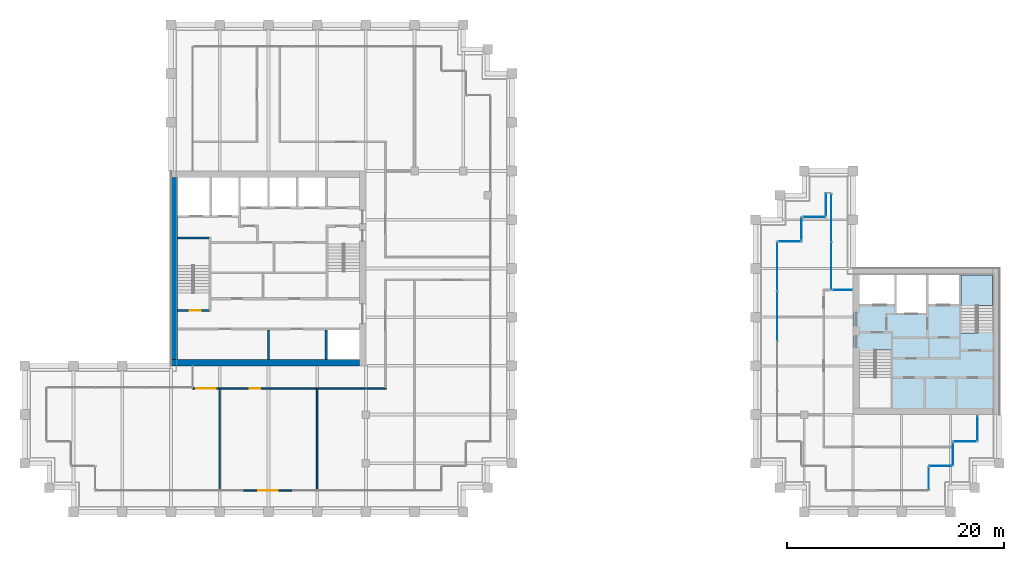
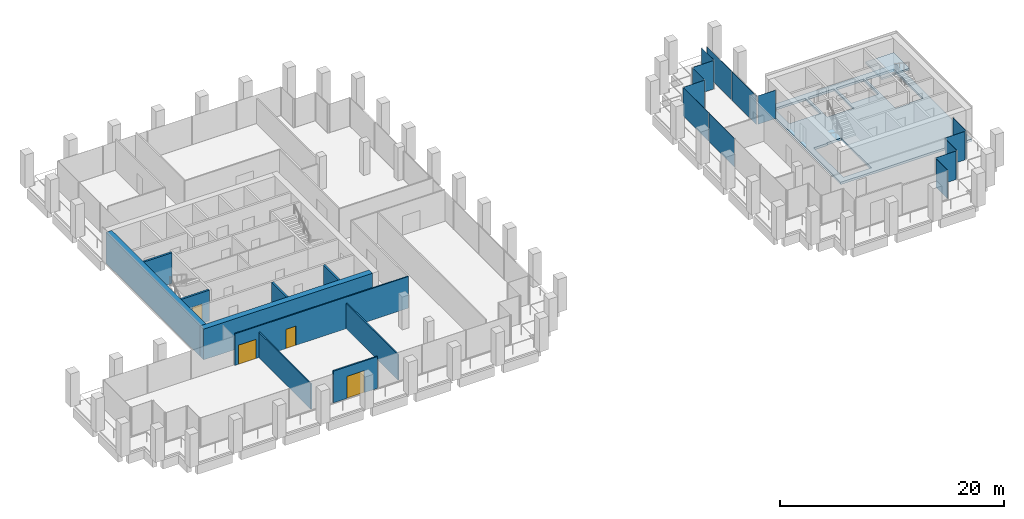
# One storey, part 35 of 40: 14 plates, 10 walls, 4 doors, 2 slabs, 4 openings, 13 elements without a shape of their own.
"""IFC4 building model written with IfcOpenShell, lengths in metres."""

from ifc_helpers import new_model, si_unit, direction, frame, frame_2d, origin, origin_2d, place, context, subcontext, project, spatial, polyline, rectangle, outline, extrude, material, layer, layer_set, type_object, element, fill, aggregate, save


model = new_model("IFC4")

# Units and contexts
model_context = context("Model", 3, precision=1e-05, world=origin(), true_north=direction((0.0, 1.0)))
body_context = subcontext(model_context, "Body", "Model", "MODEL_VIEW")
ifc_project = project(units=[si_unit("LENGTHUNIT", "METRE"), si_unit("AREAUNIT", "SQUARE_METRE"), si_unit("VOLUMEUNIT", "CUBIC_METRE"), si_unit("PLANEANGLEUNIT", "RADIAN"), si_unit("MASSUNIT", "GRAM", prefix="KILO")], contexts=[model_context])

# Site, building, storey
site_placement = place(None, origin())
site = spatial("IfcSite", under=ifc_project, at=site_placement, CompositionType="ELEMENT")
building_placement = place(site_placement, origin())
building = spatial("IfcBuilding", under=site, at=building_placement, Name="Altepetl Exchange Towers", CompositionType="ELEMENT")
storey_placement = place(building_placement, frame((0.0, 0.0, 158.199951171875)))
storey = spatial("IfcBuildingStorey", under=building, at=storey_placement, Name="L39", CompositionType="ELEMENT", Elevation=158.199951171875)

# Slab
ifc_material_1 = material(Name="Concrete C40/50", Category="concrete")
ifc_layer_1 = layer(ifc_material_1, 0.25)
ifc_layer_set_1 = layer_set([ifc_layer_1], Name="Concrete C40/50")
slab_type_1 = type_object("IfcSlabType", Name="Core floor slab 250", PredefinedType="FLOOR", material=ifc_layer_set_1)
slab_1_placement = place(storey_placement, frame((0.0, 0.0, -0.25)))
element("IfcSlab", 1, at=slab_1_placement, inside=storey, type_object=slab_type_1, Name="slab:B:L39:core0", PredefinedType="FLOOR", context=body_context, shape_type="SweptSolid", body=[
    extrude(outline(polyline([(103.5, 36.0), (117.0, 36.0), (117.0, 49.5), (103.5, 49.5), (103.5, 36.0)]), holes=[polyline([(107.0, 36.60009765625), (104.10009765625, 36.60009765625), (104.10009765625, 41.85009765625), (105.5, 41.85009765625), (105.5, 41.948974609375), (107.0, 41.948974609375), (107.0, 36.60009765625)]), polyline([(113.5, 48.89990234375), (116.39990234375, 48.89990234375), (116.39990234375, 43.64990234375), (115.0, 43.64990234375), (115.0, 43.551025390625), (113.5, 43.551025390625), (113.5, 48.89990234375)]), polyline([(107.532958984375, 45.39990234375), (107.532958984375, 48.89990234375), (110.26708984375, 48.89990234375), (110.26708984375, 45.39990234375), (107.532958984375, 45.39990234375)]), polyline([(104.10009765625, 48.89990234375), (107.3330078125, 48.89990234375), (107.3330078125, 46.199951171875), (104.10009765625, 46.199951171875), (104.10009765625, 48.89990234375)]), polyline([(110.467041015625, 48.89990234375), (113.300048828125, 48.89990234375), (113.300048828125, 46.199951171875), (110.467041015625, 46.199951171875), (110.467041015625, 48.89990234375)])]), origin(), (0.0, 0.0, 1.0), 0.25),
])

# Curtain wall, plate
ifc_material_2 = material(Name="Aluminium 6063-T6 glazing", Category="aluminium")
curtain_wall_type = type_object("IfcCurtainWallType", Name="Loggia glazing system", PredefinedType="NOTDEFINED", material=ifc_material_2)
curtain_wall_1_placement = place(storey_placement, origin())
curtain_wall_1 = element("IfcCurtainWall", 2, at=curtain_wall_1_placement, inside=storey, type_object=curtain_wall_type, Name="CW1 run", PredefinedType="NOTDEFINED")
ifc_material_3 = material(Name="Glass 6-16-6 low emissivity", Category="glass")
ifc_layer_2 = layer(ifc_material_3, 0.028076171875)
ifc_layer_set_2 = layer_set([ifc_layer_2], Name="Glass 6-16-6 low emissivity")
plate_type = type_object("IfcPlateType", Name="Glass panel 28 double glazed", PredefinedType="CURTAIN_PANEL", material=ifc_layer_set_2)
plate_1_placement = place(storey_placement, frame((110.5, 30.08740234375, 0.0), z_axis=(0.0, 0.0, 1.0), x_axis=(0.0, 1.0, 0.0)))
plate_1 = element("IfcPlate", 3, at=plate_1_placement, type_object=plate_type, Name="GP1 panel", PredefinedType="CURTAIN_PANEL", context=body_context, shape_type="SweptSolid", body=[
    extrude(rectangle(XDim=2.054931640625, YDim=0.028076171875, at=origin_2d()), origin(), (0.0, 0.0, 1.0), 3.10009765625),
])
aggregate(curtain_wall_1, [plate_1])

curtain_wall_2_placement = place(storey_placement, origin())
curtain_wall_2 = element("IfcCurtainWall", 4, at=curtain_wall_2_placement, inside=storey, type_object=curtain_wall_type, Name="CW1 run", PredefinedType="NOTDEFINED")
plate_2_placement = place(storey_placement, frame((111.58740234375, 31.25, 0.0)))
plate_2 = element("IfcPlate", 5, at=plate_2_placement, type_object=plate_type, Name="GP1 panel", PredefinedType="CURTAIN_PANEL", context=body_context, shape_type="SweptSolid", body=[
    extrude(rectangle(XDim=2.054931640625, YDim=0.028076171875, at=origin_2d()), origin(), (0.0, 0.0, 1.0), 3.10009765625),
])
aggregate(curtain_wall_2, [plate_2])

curtain_wall_3_placement = place(storey_placement, origin())
curtain_wall_3 = element("IfcCurtainWall", 6, at=curtain_wall_3_placement, inside=storey, type_object=curtain_wall_type, Name="CW1 run", PredefinedType="NOTDEFINED")
plate_3_placement = place(storey_placement, frame((112.75, 32.33740234375, 0.0), z_axis=(0.0, 0.0, 1.0), x_axis=(0.0, 1.0, 0.0)))
plate_3 = element("IfcPlate", 7, at=plate_3_placement, type_object=plate_type, Name="GP1 panel", PredefinedType="CURTAIN_PANEL", context=body_context, shape_type="SweptSolid", body=[
    extrude(rectangle(XDim=2.054931640625, YDim=0.028076171875, at=origin_2d()), origin(), (0.0, 0.0, 1.0), 3.10009765625),
])
aggregate(curtain_wall_3, [plate_3])

curtain_wall_4_placement = place(storey_placement, origin())
curtain_wall_4 = element("IfcCurtainWall", 8, at=curtain_wall_4_placement, inside=storey, type_object=curtain_wall_type, Name="CW1 run", PredefinedType="NOTDEFINED")
plate_4_placement = place(storey_placement, frame((113.83740234375, 33.5, 0.0)))
plate_4 = element("IfcPlate", 9, at=plate_4_placement, type_object=plate_type, Name="GP1 panel", PredefinedType="CURTAIN_PANEL", context=body_context, shape_type="SweptSolid", body=[
    extrude(rectangle(XDim=2.054931640625, YDim=0.028076171875, at=origin_2d()), origin(), (0.0, 0.0, 1.0), 3.10009765625),
])
aggregate(curtain_wall_4, [plate_4])

curtain_wall_5_placement = place(storey_placement, origin())
curtain_wall_5 = element("IfcCurtainWall", 10, at=curtain_wall_5_placement, inside=storey, type_object=curtain_wall_type, Name="CW1 run", PredefinedType="NOTDEFINED")
plate_5_placement = place(storey_placement, frame((115.0, 34.71240234375, 0.0), z_axis=(0.0, 0.0, 1.0), x_axis=(0.0, 1.0, 0.0)))
plate_5 = element("IfcPlate", 11, at=plate_5_placement, type_object=plate_type, Name="GP1 panel", PredefinedType="CURTAIN_PANEL", context=body_context, shape_type="SweptSolid", body=[
    extrude(rectangle(XDim=2.304931640625, YDim=0.028076171875, at=origin_2d()), origin(), (0.0, 0.0, 1.0), 3.10009765625),
])
aggregate(curtain_wall_5, [plate_5])

curtain_wall_6_placement = place(storey_placement, origin())
curtain_wall_6 = element("IfcCurtainWall", 12, at=curtain_wall_6_placement, inside=storey, type_object=curtain_wall_type, Name="CW1 run", PredefinedType="NOTDEFINED")
plate_6_placement = place(storey_placement, frame((102.53759765625, 47.5, 0.0), z_axis=(0.0, 0.0, 1.0), x_axis=(-1.0, 0.0, 0.0)))
plate_6 = element("IfcPlate", 13, at=plate_6_placement, type_object=plate_type, Name="GP1 panel", PredefinedType="CURTAIN_PANEL", context=body_context, shape_type="SweptSolid", body=[
    extrude(rectangle(XDim=1.804931640625, YDim=0.028076171875, at=origin_2d()), origin(), (0.0, 0.0, 1.0), 3.10009765625),
])
aggregate(curtain_wall_6, [plate_6])

# Curtain wall, plates
curtain_wall_7_placement = place(storey_placement, origin())
curtain_wall_7 = element("IfcCurtainWall", 14, at=curtain_wall_7_placement, inside=storey, type_object=curtain_wall_type, Name="CW1 run", PredefinedType="NOTDEFINED")
plate_7_placement = place(storey_placement, frame((101.5, 49.746337890625, 0.0), z_axis=(0.0, 0.0, 1.0), x_axis=(0.0, 1.0, 0.0)))
plate_7 = element("IfcPlate", 15, at=plate_7_placement, type_object=plate_type, Name="GP1 panel", PredefinedType="CURTAIN_PANEL", context=body_context, shape_type="SweptSolid", body=[
    extrude(rectangle(XDim=4.37255859375, YDim=0.028076171875, at=origin_2d()), origin(), (0.0, 0.0, 1.0), 3.10009765625),
])
plate_8_placement = place(storey_placement, frame((101.5, 54.1787109375, 0.0), z_axis=(0.0, 0.0, 1.0), x_axis=(0.0, 1.0, 0.0)))
plate_8 = element("IfcPlate", 16, at=plate_8_placement, type_object=plate_type, Name="GP1 panel", PredefinedType="CURTAIN_PANEL", context=body_context, shape_type="SweptSolid", body=[
    extrude(rectangle(XDim=4.37255859375, YDim=0.028076171875, at=origin_2d()), origin(), (0.0, 0.0, 1.0), 3.10009765625),
])
aggregate(curtain_wall_7, [plate_7, plate_8])

# Curtain wall, plate
curtain_wall_8_placement = place(storey_placement, origin())
curtain_wall_8 = element("IfcCurtainWall", 17, at=curtain_wall_8_placement, inside=storey, type_object=curtain_wall_type, Name="CW1 run", PredefinedType="NOTDEFINED")
plate_9_placement = place(storey_placement, frame((101.0, 55.41259765625, 0.0), z_axis=(0.0, 0.0, 1.0), x_axis=(0.0, -1.0, 0.0)))
plate_9 = element("IfcPlate", 18, at=plate_9_placement, type_object=plate_type, Name="GP1 panel", PredefinedType="CURTAIN_PANEL", context=body_context, shape_type="SweptSolid", body=[
    extrude(rectangle(XDim=2.054931640625, YDim=0.028076171875, at=origin_2d()), origin(), (0.0, 0.0, 1.0), 3.10009765625),
])
aggregate(curtain_wall_8, [plate_9])

curtain_wall_9_placement = place(storey_placement, origin())
curtain_wall_9 = element("IfcCurtainWall", 19, at=curtain_wall_9_placement, inside=storey, type_object=curtain_wall_type, Name="CW1 run", PredefinedType="NOTDEFINED")
plate_10_placement = place(storey_placement, frame((99.91259765625, 54.25, 0.0), z_axis=(0.0, 0.0, 1.0), x_axis=(-1.0, 0.0, 0.0)))
plate_10 = element("IfcPlate", 20, at=plate_10_placement, type_object=plate_type, Name="GP1 panel", PredefinedType="CURTAIN_PANEL", context=body_context, shape_type="SweptSolid", body=[
    extrude(rectangle(XDim=2.054931640625, YDim=0.028076171875, at=origin_2d()), origin(), (0.0, 0.0, 1.0), 3.10009765625),
])
aggregate(curtain_wall_9, [plate_10])

curtain_wall_10_placement = place(storey_placement, origin())
curtain_wall_10 = element("IfcCurtainWall", 21, at=curtain_wall_10_placement, inside=storey, type_object=curtain_wall_type, Name="CW1 run", PredefinedType="NOTDEFINED")
plate_11_placement = place(storey_placement, frame((98.75, 53.16259765625, 0.0), z_axis=(0.0, 0.0, 1.0), x_axis=(0.0, -1.0, 0.0)))
plate_11 = element("IfcPlate", 22, at=plate_11_placement, type_object=plate_type, Name="GP1 panel", PredefinedType="CURTAIN_PANEL", context=body_context, shape_type="SweptSolid", body=[
    extrude(rectangle(XDim=2.054931640625, YDim=0.028076171875, at=origin_2d()), origin(), (0.0, 0.0, 1.0), 3.10009765625),
])
aggregate(curtain_wall_10, [plate_11])

curtain_wall_11_placement = place(storey_placement, origin())
curtain_wall_11 = element("IfcCurtainWall", 23, at=curtain_wall_11_placement, inside=storey, type_object=curtain_wall_type, Name="CW1 run", PredefinedType="NOTDEFINED")
plate_12_placement = place(storey_placement, frame((97.66259765625, 52.0, 0.0), z_axis=(0.0, 0.0, 1.0), x_axis=(-1.0, 0.0, 0.0)))
plate_12 = element("IfcPlate", 24, at=plate_12_placement, type_object=plate_type, Name="GP1 panel", PredefinedType="CURTAIN_PANEL", context=body_context, shape_type="SweptSolid", body=[
    extrude(rectangle(XDim=2.054931640625, YDim=0.028076171875, at=origin_2d()), origin(), (0.0, 0.0, 1.0), 3.10009765625),
])
aggregate(curtain_wall_11, [plate_12])

# Curtain wall, plates
curtain_wall_12_placement = place(storey_placement, origin())
curtain_wall_12 = element("IfcCurtainWall", 25, at=curtain_wall_12_placement, inside=storey, type_object=curtain_wall_type, Name="CW1 run", PredefinedType="NOTDEFINED")
plate_13_placement = place(storey_placement, frame((96.5, 49.681884765625, 0.0), z_axis=(0.0, 0.0, 1.0), x_axis=(0.0, -1.0, 0.0)))
plate_13 = element("IfcPlate", 26, at=plate_13_placement, type_object=plate_type, Name="GP1 panel", PredefinedType="CURTAIN_PANEL", context=body_context, shape_type="SweptSolid", body=[
    extrude(rectangle(XDim=4.516357421875, YDim=0.028076171875, at=origin_2d()), origin(), (0.0, 0.0, 1.0), 3.10009765625),
])
plate_14_placement = place(storey_placement, frame((96.5, 45.090576171875, 0.0), z_axis=(0.0, 0.0, 1.0), x_axis=(0.0, -1.0, 0.0)))
plate_14 = element("IfcPlate", 27, at=plate_14_placement, type_object=plate_type, Name="GP1 panel", PredefinedType="CURTAIN_PANEL", context=body_context, shape_type="SweptSolid", body=[
    extrude(rectangle(XDim=4.546142578125, YDim=0.028076171875, at=origin_2d()), origin(), (0.0, 0.0, 1.0), 3.10009765625),
])
aggregate(curtain_wall_12, [plate_13, plate_14])

# Stair, slab
stair_type = type_object("IfcStairType", Name="Exit stair 1400 flights dogleg", PredefinedType="HALF_TURN_STAIR", material=ifc_material_1)
stair_placement = place(storey_placement, origin())
stair = element("IfcStair", 28, at=stair_placement, inside=storey, type_object=stair_type, Name="Exit stair 2", PredefinedType="HALF_TURN_STAIR")
ifc_layer_3 = layer(ifc_material_1, 0.199951171875)
ifc_layer_set_3 = layer_set([ifc_layer_3], Name="Concrete C40/50")
slab_type_2 = type_object("IfcSlabType", Name="Stair landing 200 reinforced concrete", PredefinedType="LANDING", material=ifc_layer_set_3)
slab_2_placement = place(storey_placement, frame((0.0, 0.0, 1.60009765625)))
slab_2 = element("IfcSlab", 29, at=slab_2_placement, type_object=slab_type_2, Name="ST-B2e landing 1", PredefinedType="LANDING", context=body_context, shape_type="SweptSolid", body=[
    extrude(outline(polyline([(114.89990234375, 45.969970703125), (113.5, 45.969970703125), (113.5, 46.070068359375), (113.5, 48.89990234375), (116.39990234375, 48.89990234375), (116.39990234375, 46.070068359375), (116.39990234375, 46.0693359375), (115.0, 46.0693359375), (115.0, 46.070068359375), (114.89990234375, 46.070068359375), (114.89990234375, 45.969970703125)])), origin(), (0.0, 0.0, 1.0), 0.199951171875),
])
aggregate(stair, [slab_2])

# Walls
ifc_material_4 = material(Name="Concrete C70/85", Category="concrete")
ifc_layer_4 = layer(ifc_material_4, 0.60009765625)
ifc_layer_set_4 = layer_set([ifc_layer_4], Name="Concrete C70/85")
wall_type_1 = type_object("IfcWallType", Name="Core wall 600 reinforced concrete", PredefinedType="SHEAR", material=ifc_layer_set_4)
wall_1_placement = place(storey_placement, frame((40.5, 40.800048828125, 0.0)))
element("IfcWall", 30, at=wall_1_placement, inside=storey, type_object=wall_type_1, Name="wall:A:L39:K-coreS", PredefinedType="SHEAR", context=body_context, shape_type="SweptSolid", body=[
    extrude(rectangle(XDim=17.39990234375, YDim=0.60009765625, at=frame_2d((8.699951171875, 0.0))), origin(), (0.0, 0.0, 1.0), 3.35009765625),
])
ifc_layer_5 = layer(ifc_material_4, 0.60009765625)
ifc_layer_set_5 = layer_set([ifc_layer_5], Name="Concrete C70/85")
wall_type_2 = type_object("IfcWallType", Name="Core wall 600 reinforced concrete external", PredefinedType="SHEAR", material=ifc_layer_set_5)
wall_2_placement = place(storey_placement, frame((40.800048828125, 41.10009765625, 0.0), z_axis=(0.0, 0.0, 1.0), x_axis=(0.0, 1.0, 0.0)))
element("IfcWall", 31, at=wall_2_placement, inside=storey, type_object=wall_type_2, Name="wall:A:L39:K-coreW", PredefinedType="SHEAR", context=body_context, shape_type="SweptSolid", body=[
    extrude(rectangle(XDim=16.7998046875, YDim=0.60009765625, at=frame_2d((8.39990234375, 0.0))), origin(), (0.0, 0.0, 1.0), 3.35009765625),
])

# Wall, opening, door
ifc_material_5 = material(Name="Aluminium composite cladding", Category="aluminium")
ifc_layer_6 = layer(ifc_material_5, 0.14990234375)
ifc_layer_set_6 = layer_set([ifc_layer_6], Name="Aluminium composite cladding")
wall_type_3 = type_object("IfcWallType", Name="Infill wall 150 aluminium panel", PredefinedType="SOLIDWALL", material=ifc_layer_set_6)
wall_3_placement = place(storey_placement, frame((47.18212890625, 29.0, 0.0)))
wall_3 = element("IfcWall", 32, at=wall_3_placement, inside=storey, type_object=wall_type_3, Name="Loggia door bay wall", PredefinedType="SOLIDWALL", context=body_context, shape_type="SweptSolid", body=[
    extrude(rectangle(XDim=4.560791015625, YDim=0.14990234375, at=frame_2d((2.2802734375, 0.0))), origin(), (0.0, 0.0, 1.0), 3.449951171875),
])
opening_1_placement = place(wall_3_placement, frame((1.38037109375, 0.0, 0.0)))
opening_1 = element("IfcOpeningElement", 33, at=opening_1_placement, cuts=wall_3, Name="Opening L39.A90", PredefinedType="OPENING", context=body_context, shape_type="SweptSolid", body=[
    extrude(rectangle(XDim=1.800048828125, YDim=2.39990234375, at=frame_2d((0.89990234375, 1.199951171875))), frame((0.0, 0.0849609375, 0.0), z_axis=(0.0, -1.0, 0.0), x_axis=(1.0, 0.0, 0.0)), (0.0, 0.0, 1.0), 0.169921875),
])
ifc_material_6 = material(Name="Aluminium 6063-T6 and glass", Category="aluminium")
door_type_1 = type_object("IfcDoorType", Name="Glazed door pair 1800x2400", OperationType="DOUBLE_DOOR_DOUBLE_SWING", PredefinedType="NOTDEFINED", material=ifc_material_6)
door_1_placement = place(opening_1_placement, frame((1.800048828125, 0.0, 0.0), x_axis=(-1.0, 0.0, 0.0)))
door_1 = element("IfcDoor", 34, at=door_1_placement, inside=storey, type_object=door_type_1, Name="Loggia door", OperationType="DOUBLE_DOOR_DOUBLE_SWING", OverallHeight=2.39990234375, OverallWidth=1.800048828125, PredefinedType="NOTDEFINED", context=body_context, shape_type="SweptSolid", body=[
    extrude(rectangle(XDim=1.800048828125, YDim=2.39990234375, at=frame_2d((0.89990234375, 1.199951171875))), frame((0.0, 0.02490234375, 0.0), z_axis=(0.0, -1.0, 0.0), x_axis=(1.0, 0.0, 0.0)), (0.0, 0.0, 1.0), 0.050048828125),
])
fill(opening_1, door_1)

# Wall, openings, doors
ifc_material_7 = material(Name="Gypsum board on steel studs", Category="steel")
ifc_layer_7 = layer(ifc_material_7, 0.125)
ifc_layer_set_7 = layer_set([ifc_layer_7], Name="Gypsum board on steel studs")
wall_type_4 = type_object("IfcWallType", Name="Partition 125 gypsum board on steel studs", PredefinedType="PARTITIONING", material=ifc_layer_set_7)
wall_4_placement = place(storey_placement, frame((42.5, 38.39990234375, 0.0)))
wall_4 = element("IfcWall", 35, at=wall_4_placement, inside=storey, type_object=wall_type_4, Name="wall:A:L39:P01", PredefinedType="PARTITIONING", context=body_context, shape_type="SweptSolid", body=[
    extrude(rectangle(XDim=17.862548828125, YDim=0.125, at=frame_2d((8.93115234375, 0.0))), origin(), (0.0, 0.0, 1.0), 3.449951171875),
])
opening_2_placement = place(wall_4_placement, frame((0.35009765625, 0.0, 0.0)))
opening_2 = element("IfcOpeningElement", 36, at=opening_2_placement, cuts=wall_4, Name="Opening L39.A01", PredefinedType="OPENING", context=body_context, shape_type="SweptSolid", body=[
    extrude(rectangle(XDim=1.800048828125, YDim=2.10009765625, at=frame_2d((0.89990234375, 1.050048828125))), frame((0.0, 0.072509765625, 0.0), z_axis=(0.0, -1.0, 0.0), x_axis=(1.0, 0.0, 0.0)), (0.0, 0.0, 1.0), 0.14501953125),
])
opening_3_placement = place(wall_4_placement, frame((5.258056640625, 0.0, 0.0)))
opening_3 = element("IfcOpeningElement", 37, at=opening_3_placement, cuts=wall_4, Name="Opening L39.A02", PredefinedType="OPENING", context=body_context, shape_type="SweptSolid", body=[
    extrude(rectangle(XDim=1.0, YDim=2.10009765625, at=frame_2d((0.5, 1.050048828125))), frame((0.0, 0.072509765625, 0.0), z_axis=(0.0, -1.0, 0.0), x_axis=(1.0, 0.0, 0.0)), (0.0, 0.0, 1.0), 0.14501953125),
])
ifc_material_8 = material(Name="Steel and timber fire door", Category="steel")
door_type_2 = type_object("IfcDoorType", Name="Fire door 1000 x 2100 single leaf", OperationType="SINGLE_SWING_LEFT", PredefinedType="DOOR", material=ifc_material_8)
door_2_placement = place(opening_3_placement, frame((1.0, 0.0, 0.0), x_axis=(-1.0, 0.0, 0.0)))
door_2 = element("IfcDoor", 38, at=door_2_placement, inside=storey, type_object=door_type_2, Name="door:A:L39:02", OperationType="SINGLE_SWING_RIGHT", OverallHeight=2.10009765625, OverallWidth=1.0, PredefinedType="DOOR", context=body_context, shape_type="SweptSolid", body=[
    extrude(rectangle(XDim=1.0, YDim=2.10009765625, at=frame_2d((0.5, 1.050048828125))), frame((0.0, 0.02490234375, 0.0), z_axis=(0.0, -1.0, 0.0), x_axis=(1.0, 0.0, 0.0)), (0.0, 0.0, 1.0), 0.050048828125),
])
fill(opening_3, door_2)
door_type_3 = type_object("IfcDoorType", Name="Fire door 1800 x 2100 double leaf", OperationType="DOUBLE_DOOR_SINGLE_SWING", PredefinedType="DOOR", material=ifc_material_8)
door_3_placement = place(opening_2_placement, frame((1.800048828125, 0.0, 0.0), x_axis=(-1.0, 0.0, 0.0)))
door_3 = element("IfcDoor", 39, at=door_3_placement, inside=storey, type_object=door_type_3, Name="door:A:L39:01", OperationType="DOUBLE_DOOR_SINGLE_SWING", OverallHeight=2.10009765625, OverallWidth=1.800048828125, PredefinedType="DOOR", context=body_context, shape_type="SweptSolid", body=[
    extrude(rectangle(XDim=1.800048828125, YDim=2.10009765625, at=frame_2d((0.89990234375, 1.050048828125))), frame((0.0, 0.02490234375, 0.0), z_axis=(0.0, -1.0, 0.0), x_axis=(1.0, 0.0, 0.0)), (0.0, 0.0, 1.0), 0.050048828125),
])
fill(opening_2, door_3)

# Walls
for number, where, z_axis, x_axis, name in (
    (40, (45.0, 29.10009765625, 0.0), (0.0, 0.0, 1.0), (0.0, 1.0, 0.0), "wall:A:L39:P07"),
    (41, (54.0, 29.10009765625, 0.0), (0.0, 0.0, 1.0), (0.0, 1.0, 0.0), "wall:A:L39:P10"),
):
    element("IfcWall", number, at=place(storey_placement, frame(where, z_axis=z_axis, x_axis=x_axis)), inside=storey, type_object=wall_type_4, Name=name, PredefinedType="PARTITIONING", context=body_context, shape_type="SweptSolid", body=[
        extrude(rectangle(XDim=9.2998046875, YDim=0.125, at=frame_2d((4.64990234375, 0.0))), origin(), (0.0, 0.0, 1.0), 2.76611328125),
    ])
ifc_layer_8 = layer(ifc_material_1, 0.199951171875)
ifc_layer_set_8 = layer_set([ifc_layer_8], Name="Concrete C40/50")
wall_type_5 = type_object("IfcWallType", Name="Shaft wall 200 reinforced concrete", PredefinedType="SHEAR", material=ifc_layer_set_8)
wall_5_placement = place(storey_placement, frame((54.833251953125, 41.10009765625, 0.0), z_axis=(0.0, 0.0, 1.0), x_axis=(0.0, 1.0, 0.0)))
element("IfcWall", 42, at=wall_5_placement, inside=storey, type_object=wall_type_5, Name="wall:A:L39:K-divS5", PredefinedType="SHEAR", context=body_context, shape_type="SweptSolid", body=[
    extrude(rectangle(XDim=2.699951171875, YDim=0.199951171875, at=frame_2d((1.35009765625, 0.0))), origin(), (0.0, 0.0, 1.0), 3.35009765625),
])
ifc_layer_9 = layer(ifc_material_4, 0.199951171875)
ifc_layer_set_9 = layer_set([ifc_layer_9], Name="Concrete C70/85")
wall_type_6 = type_object("IfcWallType", Name="Shear wall 200 reinforced concrete", PredefinedType="SHEAR", material=ifc_layer_set_9)
wall_6_placement = place(storey_placement, frame((49.5, 41.10009765625, 0.0), z_axis=(0.0, 0.0, 1.0), x_axis=(0.0, 1.0, 0.0)))
element("IfcWall", 43, at=wall_6_placement, inside=storey, type_object=wall_type_6, Name="wall:A:L39:K-divS3", PredefinedType="SHEAR", context=body_context, shape_type="SweptSolid", body=[
    extrude(rectangle(XDim=2.699951171875, YDim=0.199951171875, at=frame_2d((1.35009765625, 0.0))), origin(), (0.0, 0.0, 1.0), 3.35009765625),
])
ifc_layer_10 = layer(ifc_material_1, 0.199951171875)
ifc_layer_set_10 = layer_set([ifc_layer_10], Name="Concrete C40/50")
wall_type_7 = type_object("IfcWallType", Name="Stair wall 200 reinforced concrete", PredefinedType="SHEAR", material=ifc_layer_set_10)
wall_7_placement = place(storey_placement, frame((41.10009765625, 52.300048828125, 0.0)))
element("IfcWall", 44, at=wall_7_placement, inside=storey, type_object=wall_type_7, Name="wall:A:L39:K-stS1N", PredefinedType="SHEAR", context=body_context, shape_type="SweptSolid", body=[
    extrude(rectangle(XDim=2.89990234375, YDim=0.199951171875, at=frame_2d((1.449951171875, 0.0))), origin(), (0.0, 0.0, 1.0), 3.35009765625),
])

# Wall, opening, door
wall_8_placement = place(storey_placement, frame((41.10009765625, 45.60009765625, 0.0)))
wall_8 = element("IfcWall", 45, at=wall_8_placement, inside=storey, type_object=wall_type_7, Name="wall:A:L39:K-stS1S", PredefinedType="SHEAR", context=body_context, shape_type="SweptSolid", body=[
    extrude(rectangle(XDim=2.89990234375, YDim=0.199951171875, at=frame_2d((1.449951171875, 0.0))), origin(), (0.0, 0.0, 1.0), 3.35009765625),
])
opening_4_placement = place(wall_8_placement, frame((1.14990234375, 0.0, 0.0)))
opening_4 = element("IfcOpeningElement", 46, at=opening_4_placement, cuts=wall_8, Name="Opening L39.A62", PredefinedType="OPENING", context=body_context, shape_type="SweptSolid", body=[
    extrude(rectangle(XDim=1.0, YDim=2.10009765625, at=frame_2d((0.5, 1.050048828125))), frame((0.0, 0.10986328125, 0.0), z_axis=(0.0, -1.0, 0.0), x_axis=(1.0, 0.0, 0.0)), (0.0, 0.0, 1.0), 0.219970703125),
])
door_type_4 = type_object("IfcDoorType", Name="Fire door 1000 x 2100 stair and lobby", OperationType="SINGLE_SWING_LEFT", PredefinedType="DOOR", material=ifc_material_8)
door_4_placement = place(opening_4_placement, origin())
door_4 = element("IfcDoor", 47, at=door_4_placement, inside=storey, type_object=door_type_4, Name="door:A:L39:K-dS1in", OperationType="SINGLE_SWING_RIGHT", OverallHeight=2.10009765625, OverallWidth=1.0, PredefinedType="DOOR", context=body_context, shape_type="SweptSolid", body=[
    extrude(rectangle(XDim=1.0, YDim=2.10009765625, at=frame_2d((0.5, 1.050048828125))), frame((0.0, 0.02490234375, 0.0), z_axis=(0.0, -1.0, 0.0), x_axis=(1.0, 0.0, 0.0)), (0.0, 0.0, 1.0), 0.050048828125),
])
fill(opening_4, door_4)

save(model, "model.ifc")
